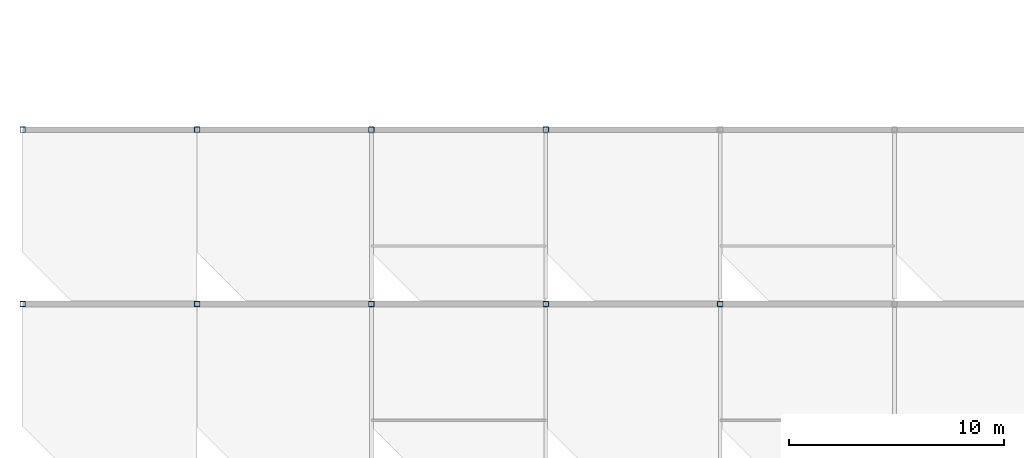
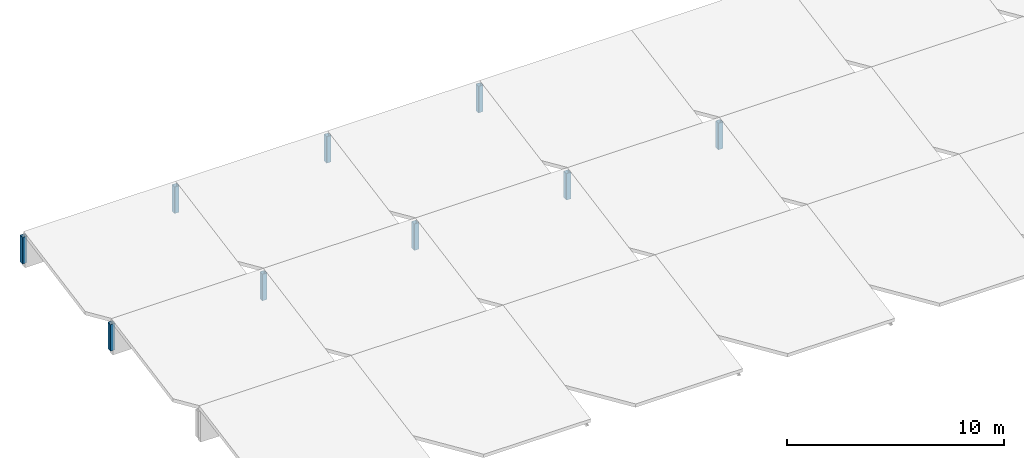
# One storey, part 4 of 33: 9 columns.
"""IFC4 building model written with IfcOpenShell, lengths in metres."""

from ifc_helpers import new_model, si_unit, direction, frame, origin, origin_2d, place, context, subcontext, project, spatial, hollow_rectangle, extrude, material, material_profile, profile_set, type_object, element, save


model = new_model("IFC4")

# Units and contexts
model_context = context("Model", 3, precision=1e-05, world=origin(), true_north=direction((0.0, 1.0)))
body_context = subcontext(model_context, "Body", "Model", "MODEL_VIEW")
ifc_project = project(units=[si_unit("LENGTHUNIT", "METRE"), si_unit("AREAUNIT", "SQUARE_METRE"), si_unit("VOLUMEUNIT", "CUBIC_METRE"), si_unit("PLANEANGLEUNIT", "RADIAN"), si_unit("MASSUNIT", "GRAM", prefix="KILO")], contexts=[model_context])

# Site, building, storey
site_placement = place(None, origin())
site = spatial("IfcSite", under=ifc_project, at=site_placement, CompositionType="ELEMENT")
building_placement = place(site_placement, origin())
building = spatial("IfcBuilding", under=site, at=building_placement, Name="Vaudrelin Polytechnic", CompositionType="ELEMENT")
storey_placement = place(building_placement, frame((0.0, 0.0, 27.3701171875)))
storey = spatial("IfcBuildingStorey", under=building, at=storey_placement, Name="L06", CompositionType="ELEMENT", Elevation=27.3701171875)

# Columns
ifc_material = material(Name="Steel CSA G40.21 350W", Category="steel")
ifc_material_profile = material_profile(ifc_material, hollow_rectangle(XDim=0.25390625, YDim=0.25390625, WallThickness=0.0126953125, InnerFilletRadius=0.0126953125, OuterFilletRadius=0.025390625, at=origin_2d()), Name="HSS254x254x12.7")
ifc_profile_set = profile_set([ifc_material_profile], Name="Steel CSA G40.21 350W")
column_type = type_object("IfcColumnType", Name="COL-C-HSS254", PredefinedType="COLUMN", material=ifc_profile_set)
for number, where, z_axis, x_axis, name in (
    (1, (16.199951171875, 113.39990234375, 0.0), (0.0, 0.0, 1.0), (1.0, 0.0, 0.0), "Sawtooth north clerestory post 2-14"),
    (2, (24.300048828125, 113.39990234375, 0.0), (0.0, 0.0, 1.0), (1.0, 0.0, 0.0), "Sawtooth north clerestory post 3-14"),
    (3, (32.39990234375, 113.39990234375, 0.0), (0.0, 0.0, 1.0), (1.0, 0.0, 0.0), "Sawtooth north clerestory post 4-14"),
    (4, (40.5, 113.39990234375, 0.0), (0.0, 0.0, 1.0), (1.0, 0.0, 0.0), "Sawtooth north clerestory post 5-14"),
    (5, (48.60009765625, 113.39990234375, 0.0), (0.0, 0.0, 1.0), (1.0, 0.0, 0.0), "Sawtooth north clerestory post 6-14"),
    (6, (16.199951171875, 121.5, 0.0), (0.0, 0.0, 1.0), (1.0, 0.0, 0.0), "Sawtooth north clerestory post 2-15"),
    (7, (24.300048828125, 121.5, 0.0), (0.0, 0.0, 1.0), (1.0, 0.0, 0.0), "Sawtooth north clerestory post 3-15"),
    (8, (32.39990234375, 121.5, 0.0), (0.0, 0.0, 1.0), (1.0, 0.0, 0.0), "Sawtooth north clerestory post 4-15"),
    (9, (40.5, 121.5, 0.0), (0.0, 0.0, 1.0), (1.0, 0.0, 0.0), "Sawtooth north clerestory post 5-15"),
):
    element("IfcColumn", number, at=place(storey_placement, frame(where, z_axis=z_axis, x_axis=x_axis)), inside=storey, type_object=column_type, Name=name, PredefinedType="COLUMN", context=body_context, shape_type="SweptSolid", body=[
        extrude(hollow_rectangle(XDim=0.25390625, YDim=0.25390625, WallThickness=0.0126953125, InnerFilletRadius=0.0126953125, OuterFilletRadius=0.025390625, at=origin_2d()), origin(), (0.0, 0.0, 1.0), 1.490966796875),
    ])

save(model, "model.ifc")
